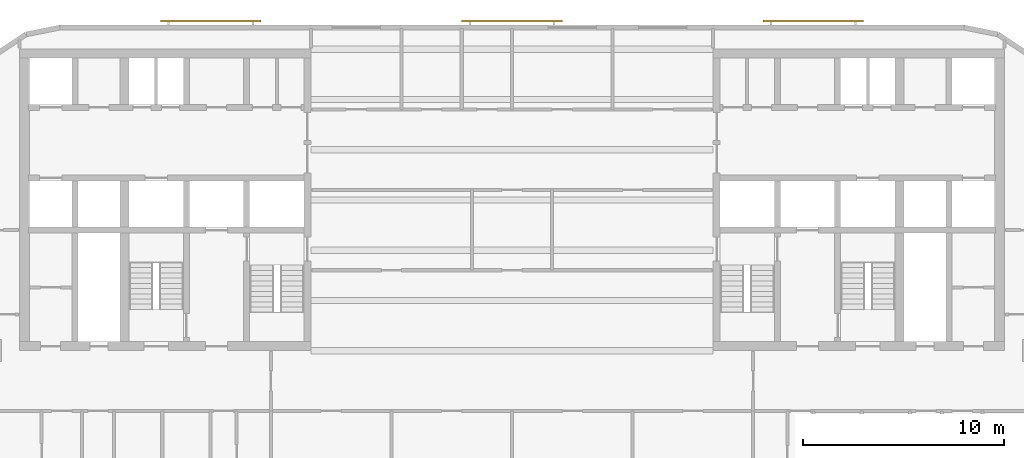
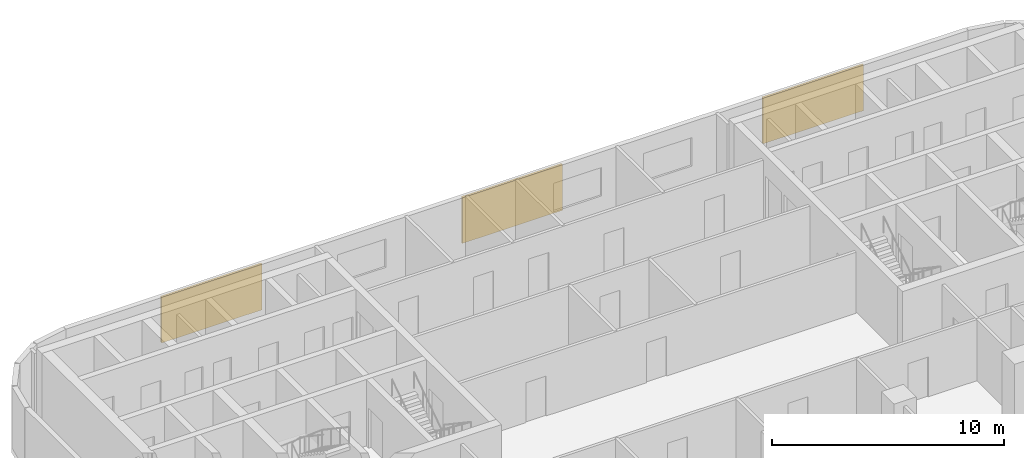
# One storey, part 11 of 12: 3 shading devices.
"""IFC4 building model written with IfcOpenShell, lengths in metres."""

from ifc_helpers import new_model, si_unit, direction, frame, origin, origin_2d, place, context, subcontext, project, spatial, rectangle, extrude, material, layer, layer_set, type_object, element, save


model = new_model("IFC4")

# Units and contexts
model_context = context("Model", 3, precision=1e-05, world=origin(), true_north=direction((0.0, 1.0)))
body_context = subcontext(model_context, "Body", "Model", "MODEL_VIEW")
ifc_project = project(units=[si_unit("LENGTHUNIT", "METRE"), si_unit("AREAUNIT", "SQUARE_METRE"), si_unit("VOLUMEUNIT", "CUBIC_METRE"), si_unit("PLANEANGLEUNIT", "RADIAN"), si_unit("MASSUNIT", "GRAM", prefix="KILO")], contexts=[model_context])

# Site, building, storey
site_placement = place(None, origin())
site = spatial("IfcSite", under=ifc_project, at=site_placement, CompositionType="ELEMENT")
building_placement = place(site_placement, origin())
building = spatial("IfcBuilding", under=site, at=building_placement, Name="Torana Hotel and Residences", CompositionType="ELEMENT")
storey_placement = place(building_placement, frame((0.0, 0.0, 197.60009765625)))
storey = spatial("IfcBuildingStorey", under=building, at=storey_placement, Name="L51", CompositionType="ELEMENT", Elevation=197.60009765625)

# Shading devices
ifc_material = material(Name="Concrete C40/50 precast", Category="concrete")
ifc_layer = layer(ifc_material, 0.10009765625)
ifc_layer_set = layer_set([ifc_layer], Name="SC1 PERFORATED BLOCK SCREEN PANEL 100")
shading_device_type = type_object("IfcShadingDeviceType", Name="SC1 PERFORATED BLOCK SCREEN PANEL 100", PredefinedType="USERDEFINED", material=ifc_layer_set)
for number, where, z_axis, x_axis, name in (
    (1, (14.983642578125, 1.39990234375, 0.5), (0.0, 0.0, 1.0), (-1.0, 0.0, 0.0), "Perforated block screen L51"),
    (2, (0.0, 1.39990234375, 0.5), (0.0, 0.0, 1.0), (-1.0, 0.0, 0.0), "Perforated block screen L51"),
    (3, (-14.983642578125, 1.39990234375, 0.5), (0.0, 0.0, 1.0), (-1.0, 0.0, 0.0), "Perforated block screen L51"),
):
    element("IfcShadingDevice", number, at=place(storey_placement, frame(where, z_axis=z_axis, x_axis=x_axis)), inside=storey, type_object=shading_device_type, Name=name, ObjectType="SCREEN", PredefinedType="USERDEFINED", context=body_context, shape_type="SweptSolid", body=[
        extrude(rectangle(XDim=5.0, YDim=0.10009765625, at=origin_2d()), origin(), (0.0, 0.0, 1.0), 2.419921875),
    ])

save(model, "model.ifc")
